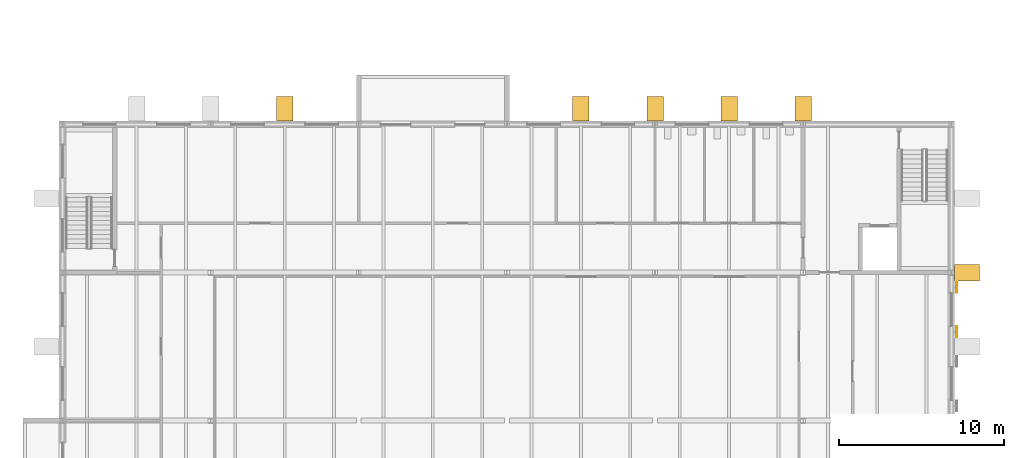
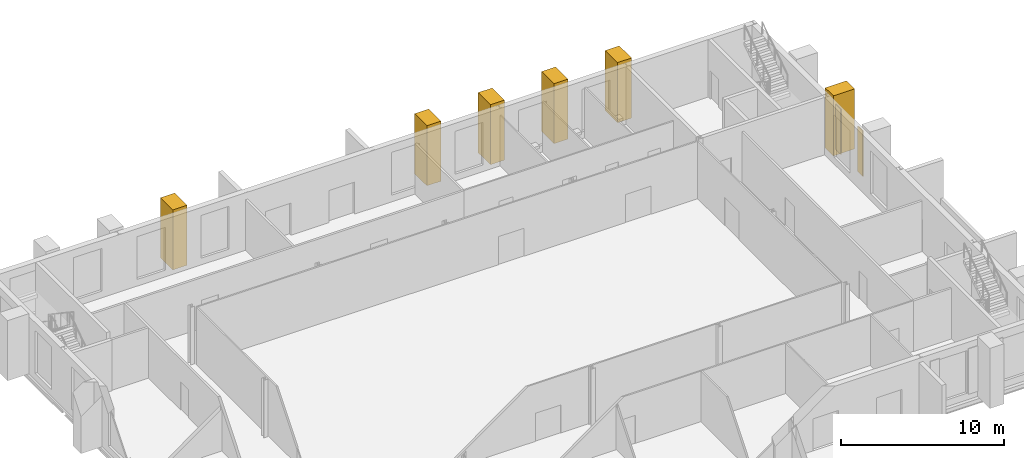
# One storey, part 131 of 134: 6 coverings, 2 shading devices.
"""IFC4 building model written with IfcOpenShell, lengths in metres."""

from ifc_helpers import new_model, si_unit, direction, frame, origin, origin_2d, place, context, subcontext, project, spatial, polyline, rectangle, outline, extrude, material, type_object, element, save


model = new_model("IFC4")

# Units and contexts
model_context = context("Model", 3, precision=1e-05, world=origin(), true_north=direction((0.0, 1.0)))
body_context = subcontext(model_context, "Body", "Model", "MODEL_VIEW")
ifc_project = project(units=[si_unit("LENGTHUNIT", "METRE"), si_unit("AREAUNIT", "SQUARE_METRE"), si_unit("VOLUMEUNIT", "CUBIC_METRE"), si_unit("PLANEANGLEUNIT", "RADIAN"), si_unit("MASSUNIT", "GRAM", prefix="KILO")], contexts=[model_context])

# Site, building, storey
site_placement = place(None, origin())
site = spatial("IfcSite", under=ifc_project, at=site_placement, CompositionType="ELEMENT")
building_placement = place(site_placement, origin())
building = spatial("IfcBuilding", under=site, at=building_placement, Name="Golden Quay Civic Hall", CompositionType="ELEMENT")
storey_placement = place(building_placement, frame((0.0, 0.0, 5.39990234375)))
storey = spatial("IfcBuildingStorey", under=building, at=storey_placement, Name="L01", CompositionType="ELEMENT", Elevation=5.39990234375)

# Coverings
ifc_material_1 = material(Name="Brick, dark clay facing", Category="masonry")
covering_type = type_object("IfcCoveringType", Name="Brick pier cladding 1000 x 1500", PredefinedType="CLADDING", material=ifc_material_1)
covering_1_placement = place(storey_placement, origin())
element("IfcCovering", 1, at=covering_1_placement, inside=storey, type_object=covering_type, Name="Brick pier cladding 1000 x 1500 L01 4", PredefinedType="CLADDING", context=body_context, shape_type="SweptSolid", body=[
    extrude(outline(polyline([(130.0, 99.199951171875), (131.0, 99.199951171875), (131.0, 100.699951171875), (130.0, 100.699951171875), (130.0, 99.199951171875)])), origin(), (0.0, 0.0, 1.0), 4.5),
])
covering_2_placement = place(storey_placement, origin())
element("IfcCovering", 2, at=covering_2_placement, inside=storey, type_object=covering_type, Name="Brick pier cladding 1000 x 1500 L01 5", PredefinedType="CLADDING", context=body_context, shape_type="SweptSolid", body=[
    extrude(outline(polyline([(148.0, 99.199951171875), (149.0, 99.199951171875), (149.0, 100.699951171875), (148.0, 100.699951171875), (148.0, 99.199951171875)])), origin(), (0.0, 0.0, 1.0), 4.5),
])
covering_3_placement = place(storey_placement, origin())
element("IfcCovering", 3, at=covering_3_placement, inside=storey, type_object=covering_type, Name="Brick pier cladding 1000 x 1500 L01 6", PredefinedType="CLADDING", context=body_context, shape_type="SweptSolid", body=[
    extrude(outline(polyline([(152.5, 99.199951171875), (153.5, 99.199951171875), (153.5, 100.699951171875), (152.5, 100.699951171875), (152.5, 99.199951171875)])), origin(), (0.0, 0.0, 1.0), 4.5),
])
covering_4_placement = place(storey_placement, origin())
element("IfcCovering", 4, at=covering_4_placement, inside=storey, type_object=covering_type, Name="Brick pier cladding 1000 x 1500 L01 7", PredefinedType="CLADDING", context=body_context, shape_type="SweptSolid", body=[
    extrude(outline(polyline([(157.0, 99.199951171875), (158.0, 99.199951171875), (158.0, 100.699951171875), (157.0, 100.699951171875), (157.0, 99.199951171875)])), origin(), (0.0, 0.0, 1.0), 4.5),
])
covering_5_placement = place(storey_placement, origin())
element("IfcCovering", 5, at=covering_5_placement, inside=storey, type_object=covering_type, Name="Brick pier cladding 1000 x 1500 L01 8", PredefinedType="CLADDING", context=body_context, shape_type="SweptSolid", body=[
    extrude(outline(polyline([(161.5, 99.199951171875), (162.5, 99.199951171875), (162.5, 100.699951171875), (161.5, 100.699951171875), (161.5, 99.199951171875)])), origin(), (0.0, 0.0, 1.0), 4.5),
])
covering_6_placement = place(storey_placement, origin())
element("IfcCovering", 6, at=covering_6_placement, inside=storey, type_object=covering_type, Name="Brick pier cladding 1000 x 1500 L01 14", PredefinedType="CLADDING", context=body_context, shape_type="SweptSolid", body=[
    extrude(outline(polyline([(171.199951171875, 89.5), (171.199951171875, 90.5), (172.699951171875, 90.5), (172.699951171875, 89.5), (171.199951171875, 89.5)])), origin(), (0.0, 0.0, 1.0), 4.5),
])

# Shading devices
ifc_material_2 = material(Name="Timber", Category="wood")
shading_device_type = type_object("IfcShadingDeviceType", Name="Timber storm shutter leaf 650 x 3400", PredefinedType="SHUTTER", material=ifc_material_2)
for number, where, z_axis, x_axis, name in (
    (7, (171.324951171875, 86.39990234375, 0.500244140625), (0.0, 0.0, 1.0), (1.0, 0.0, 0.0), "Storm shutter L01-E247a"),
    (8, (171.324951171875, 89.10009765625, 0.500244140625), (0.0, 0.0, 1.0), (1.0, 0.0, 0.0), "Storm shutter L01-E247b"),
):
    element("IfcShadingDevice", number, at=place(storey_placement, frame(where, z_axis=z_axis, x_axis=x_axis)), inside=storey, type_object=shading_device_type, Name=name, PredefinedType="SHUTTER", context=body_context, shape_type="SweptSolid", body=[
        extrude(rectangle(XDim=0.050048828125, YDim=0.64990234375, at=origin_2d()), origin(), (0.0, 0.0, 1.0), 3.39990234375),
    ])

save(model, "model.ifc")
